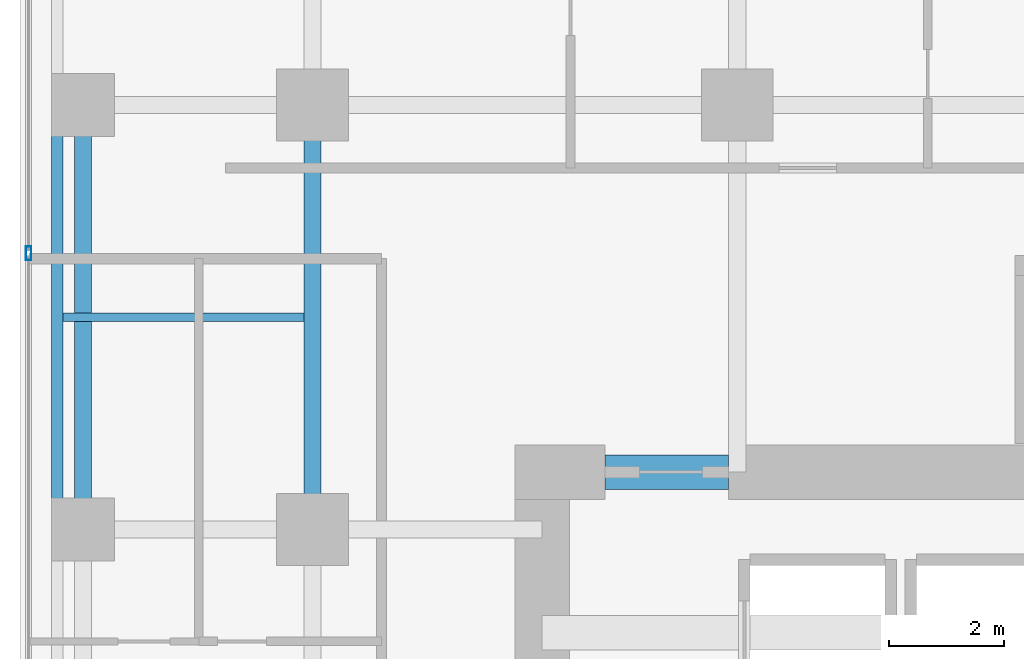
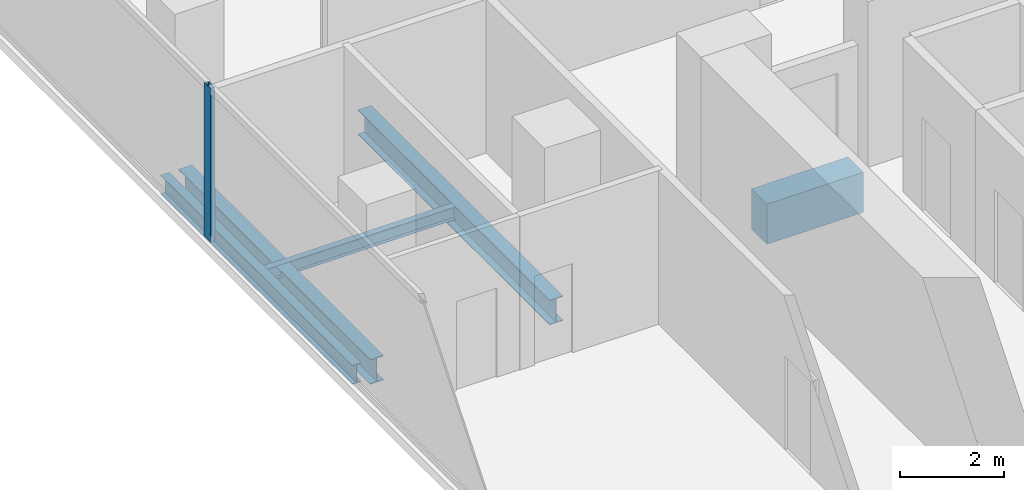
# One storey, part 7 of 27: 5 beams, 1 member, 1 element without a shape of its own.
"""IFC4 building model written with IfcOpenShell, lengths in metres."""

import ifcopenshell
import ifcopenshell.guid

model = None  # the IFC model being written
_history = None  # IfcOwnerHistory: only IFC2X3 demands one
_inside = {}  # id of a spatial element -> (the spatial element, [elements in it])
_under = {}  # id of a project, library or spatial element -> (it, [spatial elements below it])
_declared = {}  # id of a project -> (the project, [libraries it declares])
_typed = {}  # id of a type object -> (the type object, [elements of that type])
_made_of = {}  # id of a material, layer set ... -> (it, [elements and type objects made of it])


def new_model(schema):
    """Start an empty IFC model of exactly this schema.

    Asked for "IFC4X3", IfcOpenShell would pick the latest addendum, in which some entities
    have other attributes; the version numbers below select the first issue.
    IFC2X3 requires an IfcOwnerHistory on every rooted entity: one is made here for all.
    """
    global model, _history
    if schema == "IFC4X3":
        model = ifcopenshell.file(schema_version=(4, 3, 0, 0))
    else:
        model = ifcopenshell.file(schema=schema)
    _inside.clear()
    _under.clear()
    _declared.clear()
    _typed.clear()
    _made_of.clear()
    _history = None
    if model.schema == "IFC2X3":
        org = make("IfcOrganization", Name="unknown")
        user = make(
            "IfcPersonAndOrganization",
            ThePerson=make("IfcPerson", FamilyName="unknown"),
            TheOrganization=org,
        )
        app = make(
            "IfcApplication",
            ApplicationDeveloper=org,
            Version="unknown",
            ApplicationFullName="unknown",
            ApplicationIdentifier="unknown",
        )
        _history = make(
            "IfcOwnerHistory",
            OwningUser=user,
            OwningApplication=app,
            ChangeAction="ADDED",
            CreationDate=0,
        )
    return model


def make(cls, **values):
    """One entity of the class cls with the attributes given. An attribute that is None is left unset."""
    return model.create_entity(
        cls, **{name: value for name, value in values.items() if value is not None}
    )


def rooted(cls, **values):
    """An entity with a GlobalId (a new one), such as an element, a storey or a relation."""
    return make(cls, GlobalId=ifcopenshell.guid.new(), OwnerHistory=_history, **values)


def si_unit(unit_type, name, prefix=None):
    """IfcSIUnit, for example si_unit("LENGTHUNIT", "METRE", prefix="MILLI")."""
    return make("IfcSIUnit", UnitType=unit_type, Prefix=prefix, Name=name)


def assignment(units):
    """IfcUnitAssignment: the units of a project."""
    return None if units is None else make("IfcUnitAssignment", Units=units)


def point(xyz):
    """IfcCartesianPoint."""
    return None if xyz is None else make("IfcCartesianPoint", Coordinates=xyz)


def direction(xyz):
    """IfcDirection."""
    return None if xyz is None else make("IfcDirection", DirectionRatios=xyz)


def frame(location, z_axis=None, x_axis=None):
    """IfcAxis2Placement3D, a coordinate frame: its origin and axes. An axis left out is left unset."""
    return make(
        "IfcAxis2Placement3D",
        Location=point(location),
        Axis=direction(z_axis),
        RefDirection=direction(x_axis),
    )


def frame_2d(location, x_axis=None):
    """IfcAxis2Placement2D, a coordinate frame in the plane: its origin and x axis."""
    return make(
        "IfcAxis2Placement2D", Location=point(location), RefDirection=direction(x_axis)
    )


def origin():
    """The frame at (0, 0, 0) with its axes left unset."""
    return frame((0.0, 0.0, 0.0))


def origin_2d():
    """The frame at (0, 0) in the plane with its x axis left unset."""
    return frame_2d((0.0, 0.0))


def place(relative_to, where):
    """IfcLocalPlacement: puts the frame where relative to a parent placement (None: the world)."""
    return make(
        "IfcLocalPlacement", PlacementRelTo=relative_to, RelativePlacement=where
    )


def context(
    kind, dimensions, precision=None, world=None, true_north=None, identifier=None
):
    """IfcGeometricRepresentationContext, for example the 3D "Model" context."""
    return make(
        "IfcGeometricRepresentationContext",
        ContextIdentifier=identifier,
        ContextType=kind,
        CoordinateSpaceDimension=dimensions,
        Precision=precision,
        WorldCoordinateSystem=world,
        TrueNorth=true_north,
    )


def subcontext(parent, identifier, kind, view, scale=None):
    """IfcGeometricRepresentationSubContext, for example "Body" below "Model"."""
    return make(
        "IfcGeometricRepresentationSubContext",
        ContextIdentifier=identifier,
        ContextType=kind,
        ParentContext=parent,
        TargetScale=scale,
        TargetView=view,
    )


def project(units=None, contexts=None):
    """IfcProject with its units and contexts."""
    return rooted(
        "IfcProject",
        Name="project",
        RepresentationContexts=contexts,
        UnitsInContext=assignment(units),
    )


def spatial(cls, under=None, at=None, **own):
    """A site, building, storey or space (cls), placed at a placement, below another one or the project."""
    s = rooted(cls, ObjectPlacement=at, **own)
    if under is not None:
        _under.setdefault(under.id(), (under, []))[1].append(s)
    return s


def profile(cls, at=None, kind="AREA", **sizes):
    """A parametric profile (cls). Its sizes go by their IFC names, for example OverallWidth=200.0."""
    return make(cls, ProfileType=kind, Position=at, **sizes)


def rectangle(**sizes):
    """IfcRectangleProfileDef."""
    return profile("IfcRectangleProfileDef", **sizes)


def hollow_rectangle(**sizes):
    """IfcRectangleHollowProfileDef."""
    return profile("IfcRectangleHollowProfileDef", **sizes)


def i_section(**sizes):
    """IfcIShapeProfileDef."""
    return profile("IfcIShapeProfileDef", **sizes)


def extrude(swept, where, along, depth):
    """IfcExtrudedAreaSolid: the profile swept, set in the frame where, extruded along a direction by depth."""
    return make(
        "IfcExtrudedAreaSolid",
        SweptArea=swept,
        Position=where,
        ExtrudedDirection=direction(along),
        Depth=depth,
    )


def shape(context_of_items, identifier, shape_type, items):
    """IfcShapeRepresentation: the items that make up one representation, for example the "Body"."""
    return make(
        "IfcShapeRepresentation",
        ContextOfItems=context_of_items,
        RepresentationIdentifier=identifier,
        RepresentationType=shape_type,
        Items=items,
    )


def material(Name=None, Category=None):
    """IfcMaterial."""
    return make("IfcMaterial", Name=Name, Category=Category)


def layer(
    of_material, thickness, ventilated=None, Name=None, Category=None, Priority=None
):
    """IfcMaterialLayer: one layer of a wall or slab, of a material (None: an air gap)."""
    return make(
        "IfcMaterialLayer",
        Material=of_material,
        LayerThickness=thickness,
        IsVentilated=ventilated,
        Name=Name,
        Category=Category,
        Priority=Priority,
    )


def layer_set(layers, Name=None):
    """IfcMaterialLayerSet."""
    return make("IfcMaterialLayerSet", MaterialLayers=layers, LayerSetName=Name)


def material_profile(
    of_material, cross_section, Name=None, Category=None, Priority=None
):
    """IfcMaterialProfile: a cross section and its material."""
    return make(
        "IfcMaterialProfile",
        Name=Name,
        Material=of_material,
        Profile=cross_section,
        Priority=Priority,
        Category=Category,
    )


def profile_set(profiles, Name=None, composite=None):
    """IfcMaterialProfileSet."""
    return make(
        "IfcMaterialProfileSet",
        Name=Name,
        MaterialProfiles=profiles,
        CompositeProfile=composite,
    )


def made_of(thing, what):
    """Note that an element or type object is made of a material, layer set ...; save() writes the relation."""
    if what is not None:
        _made_of.setdefault(what.id(), (what, []))[1].append(thing)
    return thing


def type_object(cls, material=None, **own):
    """A type object (cls), such as IfcWallType, which elements share."""
    return made_of(rooted(cls, **own), material)


def element(
    cls,
    number,
    at=None,
    inside=None,
    cuts=None,
    type_object=None,
    material=None,
    context=None,
    identifier="Body",
    shape_type=None,
    held_by="IfcProductDefinitionShape",
    body=None,
    shapes=None,
    **own,
):
    """One element of the class cls, such as IfcWall. Its Tag is "e" and its number.

    at: its placement. inside: the storey or other place that contains it. cuts: it is an
    opening in that element (IfcRelVoidsElement). A single representation is given by context,
    identifier, shape_type and body (its items); several are given by shapes. held_by: the class
    of the entity that holds the representations. save() writes the other relations.
    """
    e = rooted(cls, Tag="e%d" % number, ObjectPlacement=at, **own)
    if body is not None:
        shapes = [shape(context, identifier, shape_type, body)]
    if shapes is not None:
        e.Representation = make(held_by, Representations=shapes)
    if inside is not None:
        _inside.setdefault(inside.id(), (inside, []))[1].append(e)
    if cuts is not None:
        rooted(
            "IfcRelVoidsElement", RelatingBuildingElement=cuts, RelatedOpeningElement=e
        )
    if type_object is not None:
        _typed.setdefault(type_object.id(), (type_object, []))[1].append(e)
    return made_of(e, material)


def aggregate(whole, parts):
    """IfcRelAggregates: a whole, such as a stair, and the parts it consists of."""
    return rooted("IfcRelAggregates", RelatingObject=whole, RelatedObjects=parts)


def save(model, path):
    """Write the relations noted so far, then the file.

    IfcRelAggregates (storeys below a building ...), IfcRelContainedInSpatialStructure (elements
    in a storey), IfcRelDefinesByType, IfcRelAssociatesMaterial and IfcRelDeclares: one each for
    every whole, place, type object, material and project.
    """
    for whole, parts in _under.values():
        aggregate(whole, parts)
    for where, things in _inside.values():
        rooted(
            "IfcRelContainedInSpatialStructure",
            RelatedElements=things,
            RelatingStructure=where,
        )
    for kind, things in _typed.values():
        rooted("IfcRelDefinesByType", RelatedObjects=things, RelatingType=kind)
    for what, things in _made_of.values():
        rooted("IfcRelAssociatesMaterial", RelatedObjects=things, RelatingMaterial=what)
    for by, libraries in _declared.values():
        rooted("IfcRelDeclares", RelatingContext=by, RelatedDefinitions=libraries)
    model.write(path)


model = new_model("IFC4")

# Units and contexts
model_context = context("Model", 3, precision=1e-05, world=origin(), true_north=direction((0.0, 1.0)))
body_context = subcontext(model_context, "Body", "Model", "MODEL_VIEW")
ifc_project = project(units=[si_unit("LENGTHUNIT", "METRE"), si_unit("AREAUNIT", "SQUARE_METRE"), si_unit("VOLUMEUNIT", "CUBIC_METRE"), si_unit("PLANEANGLEUNIT", "RADIAN"), si_unit("MASSUNIT", "GRAM", prefix="KILO")], contexts=[model_context])

# Site, building, storey
site_placement = place(None, origin())
site = spatial("IfcSite", under=ifc_project, at=site_placement, CompositionType="ELEMENT")
building_placement = place(site_placement, origin())
building = spatial("IfcBuilding", under=site, at=building_placement, Name="Khorvyn Point Tower", CompositionType="ELEMENT")
storey_placement = place(building_placement, frame((0.0, 0.0, 132.89990234375)))
storey = spatial("IfcBuildingStorey", under=building, at=storey_placement, Name="L33", CompositionType="ELEMENT", Elevation=132.89990234375)

# Curtain wall, member
ifc_material_1 = material(Name="Anodised aluminium 6063-T6 and laminated Low-E glass", Category="aluminium")
ifc_layer = layer(ifc_material_1, 0.18994140625)
ifc_layer_set = layer_set([ifc_layer], Name="Stick-Built Acoustic Curtain Wall CW-SYS-03")
curtain_wall_type = type_object("IfcCurtainWallType", Name="Stick-Built Acoustic Curtain Wall CW-SYS-03", PredefinedType="NOTDEFINED", material=ifc_layer_set)
curtain_wall_placement = place(storey_placement, origin())
curtain_wall = element("IfcCurtainWall", 1, at=curtain_wall_placement, inside=storey, type_object=curtain_wall_type, Name="Curtain Wall", PredefinedType="NOTDEFINED")
ifc_material_2 = material(Name="Anodised aluminium 6063-T6", Category="aluminium")
ifc_material_profile_1 = material_profile(ifc_material_2, hollow_rectangle(XDim=0.10009765625, YDim=0.239990234375, WallThickness=0.0048828125, at=origin_2d()))
ifc_profile_set_1 = profile_set([ifc_material_profile_1], Name="Anodised aluminium 6063-T6 ALU-MUL-100x240")
member_type = type_object("IfcMemberType", Name="Anodised Aluminium 6063-T6 Mullion ALU-MUL-100x240", PredefinedType="MULLION", material=ifc_profile_set_1)
member_placement = place(storey_placement, frame((-19.75, 12.216552734375, 0.0), z_axis=(0.0, 0.0, 1.0), x_axis=(-1.0, 0.0, 0.0)))
member = element("IfcMember", 2, at=member_placement, type_object=member_type, Name="Transom", PredefinedType="MULLION", context=body_context, shape_type="SweptSolid", body=[
    extrude(hollow_rectangle(XDim=0.10009765625, YDim=0.239990234375, WallThickness=0.0048828125, at=origin_2d()), origin(), (0.0, 0.0, 1.0), 3.6201171875),
])
aggregate(curtain_wall, [member])

# Beams
ifc_material_3 = material(Name="Concrete C50/60", Category="concrete")
ifc_material_profile_2 = material_profile(ifc_material_3, rectangle(XDim=0.60009765625, YDim=0.949951171875, at=origin_2d()))
ifc_profile_set_2 = profile_set([ifc_material_profile_2], Name="Concrete C50/60 RC600x950")
beam_type_1 = type_object("IfcBeamType", Name="Concrete C50/60 Beam RC600x950", PredefinedType="BEAM", material=ifc_profile_set_2)
beam_1_placement = place(storey_placement, frame((-9.699951171875, 8.39990234375, -0.69482421875), z_axis=(1.0, 0.0, 0.0), x_axis=(0.0, 1.0, 0.0)))
element("IfcBeam", 3, at=beam_1_placement, inside=storey, type_object=beam_type_1, Name="L33 Core Northwest Portal Coupling Beam", PredefinedType="BEAM", context=body_context, shape_type="SweptSolid", body=[
    extrude(rectangle(XDim=0.60009765625, YDim=0.949951171875, at=origin_2d()), origin(), (0.0, 0.0, 1.0), 2.14990234375),
])
ifc_material_4 = material(Name="Steel S355", Category="steel")
ifc_material_profile_3 = material_profile(ifc_material_4, i_section(OverallWidth=0.300048828125, OverallDepth=0.587890625, WebThickness=0.011962890625, FlangeThickness=0.02001953125, at=origin_2d()))
ifc_profile_set_3 = profile_set([ifc_material_profile_3], Name="Steel S355 H588x300x12x20")
beam_type_2 = type_object("IfcBeamType", Name="Steel S355 Beam H588x300x12x20", PredefinedType="BEAM", material=ifc_profile_set_3)
for number, where, z_axis, x_axis, name in (
    (4, (-14.800048828125, 7.39990234375, -0.513916015625), (0.0, 1.0, 0.0), (-1.0, 0.0, 0.0), "Beam"),
    (5, (-18.800048828125, 7.39990234375, -0.513916015625), (0.0, 1.0, 0.0), (-1.0, 0.0, 0.0), "Beam"),
):
    element("IfcBeam", number, at=place(storey_placement, frame(where, z_axis=z_axis, x_axis=x_axis)), inside=storey, type_object=beam_type_2, Name=name, PredefinedType="BEAM", context=body_context, shape_type="SweptSolid", body=[
        extrude(i_section(OverallWidth=0.300048828125, OverallDepth=0.587890625, WebThickness=0.011962890625, FlangeThickness=0.02001953125, at=origin_2d()), origin(), (0.0, 0.0, 1.0), 7.400146484375),
    ])
ifc_material_profile_4 = material_profile(ifc_material_4, i_section(OverallWidth=0.14990234375, OverallDepth=0.300048828125, WebThickness=0.006591796875, FlangeThickness=0.009033203125, at=origin_2d()))
ifc_profile_set_4 = profile_set([ifc_material_profile_4], Name="Steel S355 H300x150x6.5x9")
beam_type_3 = type_object("IfcBeamType", Name="Steel S355 Joist H300x150x6.5x9", PredefinedType="JOIST", material=ifc_profile_set_4)
beam_2_placement = place(storey_placement, frame((-19.14990234375, 11.10009765625, -0.369873046875), z_axis=(1.0, 0.0, 0.0), x_axis=(0.0, 1.0, 0.0)))
element("IfcBeam", 6, at=beam_2_placement, inside=storey, type_object=beam_type_3, Name="Beam", PredefinedType="JOIST", context=body_context, shape_type="SweptSolid", body=[
    extrude(i_section(OverallWidth=0.14990234375, OverallDepth=0.300048828125, WebThickness=0.006591796875, FlangeThickness=0.009033203125, at=origin_2d()), origin(), (0.0, 0.0, 1.0), 4.199951171875),
])
ifc_material_profile_5 = material_profile(ifc_material_4, i_section(OverallWidth=0.199951171875, OverallDepth=0.449951171875, WebThickness=0.009033203125, FlangeThickness=0.013916015625, at=origin_2d()))
ifc_profile_set_5 = profile_set([ifc_material_profile_5], Name="Steel S355 H450x200x9x14")
beam_type_4 = type_object("IfcBeamType", Name="Steel S355 Spandrel H450x200x9x14", PredefinedType="SPANDREL", material=ifc_profile_set_5)
beam_3_placement = place(storey_placement, frame((-19.25, 7.39990234375, -0.44482421875), z_axis=(0.0, 1.0, 0.0), x_axis=(-1.0, 0.0, 0.0)))
element("IfcBeam", 7, at=beam_3_placement, inside=storey, type_object=beam_type_4, Name="Beam", PredefinedType="SPANDREL", context=body_context, shape_type="SweptSolid", body=[
    extrude(i_section(OverallWidth=0.199951171875, OverallDepth=0.449951171875, WebThickness=0.009033203125, FlangeThickness=0.013916015625, at=origin_2d()), origin(), (0.0, 0.0, 1.0), 7.400146484375),
])

save(model, "model.ifc")
